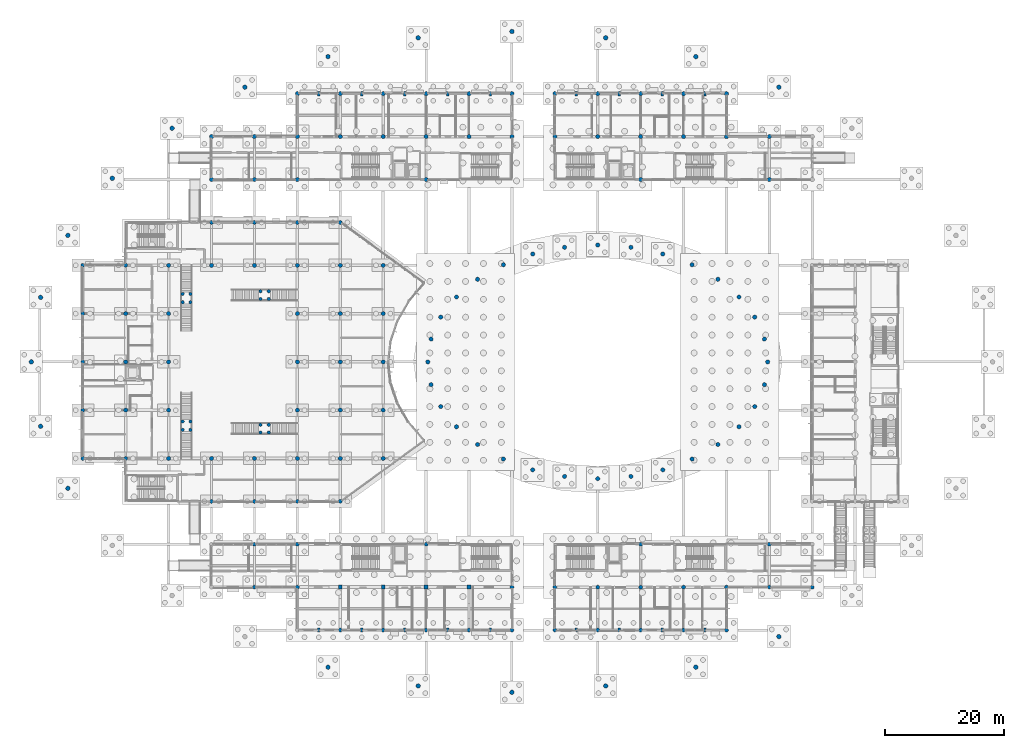
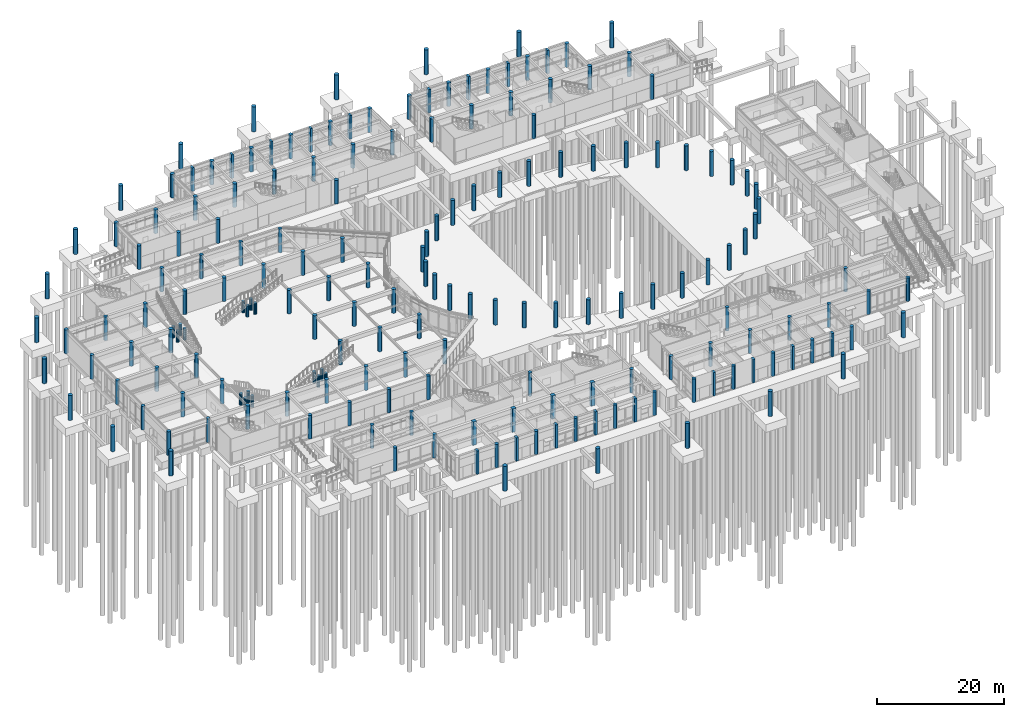
# One storey, part 9 of 103: 188 columns.
"""IFC4 building model written with IfcOpenShell, lengths in metres."""

from ifc_helpers import new_model, si_unit, direction, frame, origin, origin_2d, place, context, subcontext, project, spatial, rectangle, circle, extrude, material, material_profile, profile_set, type_object, element, save


model = new_model("IFC4")

# Units and contexts
model_context = context("Model", 3, precision=1e-05, world=origin(), true_north=direction((0.0, 1.0)))
body_context = subcontext(model_context, "Body", "Model", "MODEL_VIEW")
ifc_project = project(units=[si_unit("LENGTHUNIT", "METRE"), si_unit("AREAUNIT", "SQUARE_METRE"), si_unit("VOLUMEUNIT", "CUBIC_METRE"), si_unit("PLANEANGLEUNIT", "RADIAN"), si_unit("MASSUNIT", "GRAM", prefix="KILO")], contexts=[model_context])

# Site, building, storey
site_placement = place(None, origin())
site = spatial("IfcSite", under=ifc_project, at=site_placement, CompositionType="ELEMENT")
building_placement = place(site_placement, origin())
building = spatial("IfcBuilding", under=site, at=building_placement, Name="Namkhue Oval Health Centre", CompositionType="ELEMENT")
storey_placement = place(building_placement, origin())
storey = spatial("IfcBuildingStorey", under=building, at=storey_placement, Name="L00", CompositionType="ELEMENT", Elevation=0.0)

# Columns
ifc_material = material(Name="Reinforced concrete C35/45 (TCVN B40)", Category="concrete")
ifc_material_profile_1 = material_profile(ifc_material, rectangle(XDim=0.39990234375, YDim=0.699951171875, at=origin_2d()), Name="RC 400x700")
ifc_profile_set_1 = profile_set([ifc_material_profile_1], Name="Reinforced concrete C35/45 (TCVN B40)")
column_type_1 = type_object("IfcColumnType", Name="FACADE PILASTER 400X700", PredefinedType="PILASTER", material=ifc_profile_set_1)
for number, where, z_axis, x_axis, name in (
    (1, (54.0, 104.39990234375, 0.0), (0.0, 0.0, 1.0), (1.0, 0.0, 0.0), "Volume V2 L00 Street Pilaster 8"),
    (2, (61.199951171875, 104.39990234375, 0.0), (0.0, 0.0, 1.0), (1.0, 0.0, 0.0), "Volume V2 L00 Street Pilaster 9"),
    (3, (68.39990234375, 104.39990234375, 0.0), (0.0, 0.0, 1.0), (1.0, 0.0, 0.0), "Volume V2 L00 Street Pilaster 10"),
    (4, (75.60009765625, 104.39990234375, 0.0), (0.0, 0.0, 1.0), (1.0, 0.0, 0.0), "Volume V2 L00 Street Pilaster 11"),
    (5, (82.800048828125, 104.39990234375, 0.0), (0.0, 0.0, 1.0), (1.0, 0.0, 0.0), "Volume V2 L00 Street Pilaster 12"),
):
    element("IfcColumn", number, at=place(storey_placement, frame(where, z_axis=z_axis, x_axis=x_axis)), inside=storey, type_object=column_type_1, Name=name, PredefinedType="PILASTER", context=body_context, shape_type="SweptSolid", body=[
        extrude(rectangle(XDim=0.39990234375, YDim=0.699951171875, at=origin_2d()), origin(), (0.0, 0.0, 1.0), 4.56005859375),
    ])
for number, where, z_axis, x_axis, name in (
    (6, (97.199951171875, 104.39990234375, 0.0), (0.0, 0.0, 1.0), (1.0, 0.0, 0.0), "Volume V3 L00 Street Pilaster 14"),
    (7, (104.39990234375, 104.39990234375, 0.0), (0.0, 0.0, 1.0), (1.0, 0.0, 0.0), "Volume V3 L00 Street Pilaster 15"),
    (8, (111.60009765625, 104.39990234375, 0.0), (0.0, 0.0, 1.0), (1.0, 0.0, 0.0), "Volume V3 L00 Street Pilaster 16"),
    (9, (118.800048828125, 104.39990234375, 0.0), (0.0, 0.0, 1.0), (1.0, 0.0, 0.0), "Volume V3 L00 Street Pilaster 17"),
):
    element("IfcColumn", number, at=place(storey_placement, frame(where, z_axis=z_axis, x_axis=x_axis)), inside=storey, type_object=column_type_1, Name=name, PredefinedType="PILASTER", context=body_context, shape_type="SweptSolid", body=[
        extrude(rectangle(XDim=0.39990234375, YDim=0.699951171875, at=origin_2d()), origin(), (0.0, 0.0, 1.0), 4.534912109375),
    ])
for number, where, z_axis, x_axis, name in (
    (10, (54.0, 14.39990234375, 0.0), (0.0, 0.0, 1.0), (1.0, 0.0, 0.0), "Volume V4 L00 Street Pilaster 8"),
    (11, (61.199951171875, 14.39990234375, 0.0), (0.0, 0.0, 1.0), (1.0, 0.0, 0.0), "Volume V4 L00 Street Pilaster 9"),
    (12, (68.39990234375, 14.39990234375, 0.0), (0.0, 0.0, 1.0), (1.0, 0.0, 0.0), "Volume V4 L00 Street Pilaster 10"),
    (13, (75.60009765625, 14.39990234375, 0.0), (0.0, 0.0, 1.0), (1.0, 0.0, 0.0), "Volume V4 L00 Street Pilaster 11"),
    (14, (82.800048828125, 14.39990234375, 0.0), (0.0, 0.0, 1.0), (1.0, 0.0, 0.0), "Volume V4 L00 Street Pilaster 12"),
):
    element("IfcColumn", number, at=place(storey_placement, frame(where, z_axis=z_axis, x_axis=x_axis)), inside=storey, type_object=column_type_1, Name=name, PredefinedType="PILASTER", context=body_context, shape_type="SweptSolid", body=[
        extrude(rectangle(XDim=0.39990234375, YDim=0.699951171875, at=origin_2d()), origin(), (0.0, 0.0, 1.0), 4.510009765625),
    ])
for number, where, z_axis, x_axis, name in (
    (15, (97.199951171875, 14.39990234375, 0.0), (0.0, 0.0, 1.0), (1.0, 0.0, 0.0), "Volume V5 L00 Street Pilaster 14"),
    (16, (104.39990234375, 14.39990234375, 0.0), (0.0, 0.0, 1.0), (1.0, 0.0, 0.0), "Volume V5 L00 Street Pilaster 15"),
    (17, (111.60009765625, 14.39990234375, 0.0), (0.0, 0.0, 1.0), (1.0, 0.0, 0.0), "Volume V5 L00 Street Pilaster 16"),
    (18, (118.800048828125, 14.39990234375, 0.0), (0.0, 0.0, 1.0), (1.0, 0.0, 0.0), "Volume V5 L00 Street Pilaster 17"),
):
    element("IfcColumn", number, at=place(storey_placement, frame(where, z_axis=z_axis, x_axis=x_axis)), inside=storey, type_object=column_type_1, Name=name, PredefinedType="PILASTER", context=body_context, shape_type="SweptSolid", body=[
        extrude(rectangle(XDim=0.39990234375, YDim=0.699951171875, at=origin_2d()), origin(), (0.0, 0.0, 1.0), 4.4951171875),
    ])
ifc_material_profile_2 = material_profile(ifc_material, rectangle(XDim=0.64990234375, YDim=0.64990234375, at=origin_2d()), Name="RC 650x650")
ifc_profile_set_2 = profile_set([ifc_material_profile_2], Name="Reinforced concrete C35/45 (TCVN B40)")
column_type_2 = type_object("IfcColumnType", Name="RC COLUMN 650X650 INT", PredefinedType="COLUMN", material=ifc_profile_set_2)
for number, where, z_axis, x_axis, name in (
    (19, (57.60009765625, 21.60009765625, 0.0), (0.0, 0.0, 1.0), (1.0, 0.0, 0.0), "Volume V4 L00 Column 9/D"),
    (20, (64.800048828125, 21.60009765625, 0.0), (0.0, 0.0, 1.0), (1.0, 0.0, 0.0), "Volume V4 L00 Column 10/D"),
    (21, (72.0, 21.60009765625, 0.0), (0.0, 0.0, 1.0), (1.0, 0.0, 0.0), "Volume V4 L00 Column 11/D"),
    (22, (79.199951171875, 21.60009765625, 0.0), (0.0, 0.0, 1.0), (1.0, 0.0, 0.0), "Volume V4 L00 Column 12/D"),
):
    element("IfcColumn", number, at=place(storey_placement, frame(where, z_axis=z_axis, x_axis=x_axis)), inside=storey, type_object=column_type_2, Name=name, PredefinedType="COLUMN", context=body_context, shape_type="SweptSolid", body=[
        extrude(rectangle(XDim=0.64990234375, YDim=0.64990234375, at=origin_2d()), origin(), (0.0, 0.0, 1.0), 4.510009765625),
    ])
ifc_material_profile_3 = material_profile(ifc_material, circle(Radius=0.27490234375, at=origin_2d()), Name="RC D550")
ifc_profile_set_3 = profile_set([ifc_material_profile_3], Name="Reinforced concrete C35/45 (TCVN B40)")
column_type_3 = type_object("IfcColumnType", Name="RC COLUMN D550 INT", PredefinedType="COLUMN", material=ifc_profile_set_3)
for number, where, z_axis, x_axis, name in (
    (23, (44.205078125, 47.550048828125, 0.0), (0.0, 0.0, 1.0), (1.0, 0.0, 0.0), "Waiting Hall South Straight Feature Stair Landing Column 1"),
    (24, (44.205078125, 48.85009765625, 0.0), (0.0, 0.0, 1.0), (1.0, 0.0, 0.0), "Waiting Hall South Straight Feature Stair Landing Column 2"),
    (25, (45.60498046875, 47.550048828125, 0.0), (0.0, 0.0, 1.0), (1.0, 0.0, 0.0), "Waiting Hall South Straight Feature Stair Landing Column 3"),
    (26, (45.60498046875, 48.85009765625, 0.0), (0.0, 0.0, 1.0), (1.0, 0.0, 0.0), "Waiting Hall South Straight Feature Stair Landing Column 4"),
    (27, (44.205078125, 69.949951171875, 0.0), (0.0, 0.0, 1.0), (1.0, 0.0, 0.0), "Waiting Hall North Straight Feature Stair Landing Column 1"),
    (28, (44.205078125, 71.25, 0.0), (0.0, 0.0, 1.0), (1.0, 0.0, 0.0), "Waiting Hall North Straight Feature Stair Landing Column 2"),
    (29, (45.60498046875, 69.949951171875, 0.0), (0.0, 0.0, 1.0), (1.0, 0.0, 0.0), "Waiting Hall North Straight Feature Stair Landing Column 3"),
    (30, (45.60498046875, 71.25, 0.0), (0.0, 0.0, 1.0), (1.0, 0.0, 0.0), "Waiting Hall North Straight Feature Stair Landing Column 4"),
    (31, (32.449951171875, 69.405029296875, 0.0), (0.0, 0.0, 1.0), (1.0, 0.0, 0.0), "Waiting Hall North Gallery Feature Stair Landing Column 1"),
    (32, (31.14990234375, 69.405029296875, 0.0), (0.0, 0.0, 1.0), (1.0, 0.0, 0.0), "Waiting Hall North Gallery Feature Stair Landing Column 2"),
    (33, (32.449951171875, 70.804931640625, 0.0), (0.0, 0.0, 1.0), (1.0, 0.0, 0.0), "Waiting Hall North Gallery Feature Stair Landing Column 3"),
    (34, (31.14990234375, 70.804931640625, 0.0), (0.0, 0.0, 1.0), (1.0, 0.0, 0.0), "Waiting Hall North Gallery Feature Stair Landing Column 4"),
    (35, (31.14990234375, 49.39501953125, 0.0), (0.0, 0.0, 1.0), (1.0, 0.0, 0.0), "Waiting Hall South Gallery Feature Stair Landing Column 1"),
    (36, (32.449951171875, 49.39501953125, 0.0), (0.0, 0.0, 1.0), (1.0, 0.0, 0.0), "Waiting Hall South Gallery Feature Stair Landing Column 2"),
    (37, (31.14990234375, 47.9951171875, 0.0), (0.0, 0.0, 1.0), (1.0, 0.0, 0.0), "Waiting Hall South Gallery Feature Stair Landing Column 3"),
    (38, (32.449951171875, 47.9951171875, 0.0), (0.0, 0.0, 1.0), (1.0, 0.0, 0.0), "Waiting Hall South Gallery Feature Stair Landing Column 4"),
):
    element("IfcColumn", number, at=place(storey_placement, frame(where, z_axis=z_axis, x_axis=x_axis)), inside=storey, type_object=column_type_3, Name=name, PredefinedType="COLUMN", context=body_context, shape_type="SweptSolid", body=[
        extrude(circle(Radius=0.27490234375, at=origin_2d()), origin(), (0.0, 0.0, 1.0), 2.219970703125),
    ])
ifc_material_profile_4 = material_profile(ifc_material, circle(Radius=0.324951171875, at=origin_2d()), Name="RC D650")
ifc_profile_set_4 = profile_set([ifc_material_profile_4], Name="Reinforced concrete C35/45 (TCVN B40)")
column_type_4 = type_object("IfcColumnType", Name="RC COLUMN D650 EXT", PredefinedType="COLUMN", material=ifc_profile_set_4)
for number, where, z_axis, x_axis, name in (
    (39, (14.39990234375, 43.199951171875, 0.0), (0.0, 0.0, 1.0), (1.0, 0.0, 0.0), "Volume V1 L00 Column 3/G"),
    (40, (14.39990234375, 51.300048828125, 0.0), (0.0, 0.0, 1.0), (1.0, 0.0, 0.0), "Volume V1 L00 Column 3/H"),
    (41, (14.39990234375, 59.39990234375, 0.0), (0.0, 0.0, 1.0), (1.0, 0.0, 0.0), "Volume V1 L00 Column 3/J"),
    (42, (14.39990234375, 67.5, 0.0), (0.0, 0.0, 1.0), (1.0, 0.0, 0.0), "Volume V1 L00 Column 3/K"),
    (43, (14.39990234375, 75.60009765625, 0.0), (0.0, 0.0, 1.0), (1.0, 0.0, 0.0), "Volume V1 L00 Column 3/L"),
):
    element("IfcColumn", number, at=place(storey_placement, frame(where, z_axis=z_axis, x_axis=x_axis)), inside=storey, type_object=column_type_4, Name=name, PredefinedType="COLUMN", context=body_context, shape_type="SweptSolid", body=[
        extrude(circle(Radius=0.324951171875, at=origin_2d()), origin(), (0.0, 0.0, 1.0), 4.590087890625),
    ])
for number, where, z_axis, x_axis, name in (
    (44, (21.60009765625, 43.199951171875, 0.0), (0.0, 0.0, 1.0), (1.0, 0.0, 0.0), "Volume V1 L00 Column 4/G"),
    (45, (21.60009765625, 75.60009765625, 0.0), (0.0, 0.0, 1.0), (1.0, 0.0, 0.0), "Volume V1 L00 Column 4/L"),
    (46, (36.0, 36.0, 0.0), (0.0, 0.0, 1.0), (1.0, 0.0, 0.0), "Volume V1 L00 Column 6/F"),
    (47, (36.0, 82.800048828125, 0.0), (0.0, 0.0, 1.0), (1.0, 0.0, 0.0), "Volume V1 L00 Column 6/M"),
    (48, (43.199951171875, 36.0, 0.0), (0.0, 0.0, 1.0), (1.0, 0.0, 0.0), "Volume V1 L00 Column 7/F"),
    (49, (43.199951171875, 82.800048828125, 0.0), (0.0, 0.0, 1.0), (1.0, 0.0, 0.0), "Volume V1 L00 Column 7/M"),
    (50, (50.39990234375, 36.0, 0.0), (0.0, 0.0, 1.0), (1.0, 0.0, 0.0), "Volume V1 L00 Column 8/F"),
    (51, (50.39990234375, 82.800048828125, 0.0), (0.0, 0.0, 1.0), (1.0, 0.0, 0.0), "Volume V1 L00 Column 8/M"),
    (52, (57.60009765625, 36.0, 0.0), (0.0, 0.0, 1.0), (1.0, 0.0, 0.0), "Volume V1 L00 Column 9/F"),
    (53, (57.60009765625, 82.800048828125, 0.0), (0.0, 0.0, 1.0), (1.0, 0.0, 0.0), "Volume V1 L00 Column 9/M"),
):
    element("IfcColumn", number, at=place(storey_placement, frame(where, z_axis=z_axis, x_axis=x_axis)), inside=storey, type_object=column_type_4, Name=name, PredefinedType="COLUMN", context=body_context, shape_type="SweptSolid", body=[
        extrude(circle(Radius=0.324951171875, at=origin_2d()), origin(), (0.0, 0.0, 1.0), 4.56494140625),
    ])
for number, where, z_axis, x_axis, name in (
    (54, (43.199951171875, 21.60009765625, 0.0), (0.0, 0.0, 1.0), (1.0, 0.0, 0.0), "Volume V4 L00 Column 7/D"),
    (55, (43.199951171875, 28.800048828125, 0.0), (0.0, 0.0, 1.0), (1.0, 0.0, 0.0), "Volume V4 L00 Column 7/E"),
    (56, (50.39990234375, 21.60009765625, 0.0), (0.0, 0.0, 1.0), (1.0, 0.0, 0.0), "Volume V4 L00 Column 8/D"),
    (57, (50.39990234375, 28.800048828125, 0.0), (0.0, 0.0, 1.0), (1.0, 0.0, 0.0), "Volume V4 L00 Column 8/E"),
    (58, (57.60009765625, 14.39990234375, 0.0), (0.0, 0.0, 1.0), (1.0, 0.0, 0.0), "Volume V4 L00 Column 9/C"),
    (59, (64.800048828125, 14.39990234375, 0.0), (0.0, 0.0, 1.0), (1.0, 0.0, 0.0), "Volume V4 L00 Column 10/C"),
    (60, (72.0, 14.39990234375, 0.0), (0.0, 0.0, 1.0), (1.0, 0.0, 0.0), "Volume V4 L00 Column 11/C"),
    (61, (72.0, 28.800048828125, 0.0), (0.0, 0.0, 1.0), (1.0, 0.0, 0.0), "Volume V4 L00 Column 11/E"),
    (62, (79.199951171875, 14.39990234375, 0.0), (0.0, 0.0, 1.0), (1.0, 0.0, 0.0), "Volume V4 L00 Column 12/C"),
    (63, (86.39990234375, 14.39990234375, 0.0), (0.0, 0.0, 1.0), (1.0, 0.0, 0.0), "Volume V4 L00 Column 13/C"),
    (64, (86.39990234375, 21.60009765625, 0.0), (0.0, 0.0, 1.0), (1.0, 0.0, 0.0), "Volume V4 L00 Column 13/D"),
):
    element("IfcColumn", number, at=place(storey_placement, frame(where, z_axis=z_axis, x_axis=x_axis)), inside=storey, type_object=column_type_4, Name=name, PredefinedType="COLUMN", context=body_context, shape_type="SweptSolid", body=[
        extrude(circle(Radius=0.324951171875, at=origin_2d()), origin(), (0.0, 0.0, 1.0), 4.510009765625),
    ])
for number, where, z_axis, x_axis, name in (
    (65, (93.60009765625, 14.39990234375, 0.0), (0.0, 0.0, 1.0), (1.0, 0.0, 0.0), "Volume V5 L00 Column 14/C"),
    (66, (93.60009765625, 21.60009765625, 0.0), (0.0, 0.0, 1.0), (1.0, 0.0, 0.0), "Volume V5 L00 Column 14/D"),
    (67, (100.800048828125, 14.39990234375, 0.0), (0.0, 0.0, 1.0), (1.0, 0.0, 0.0), "Volume V5 L00 Column 15/C"),
    (68, (108.0, 14.39990234375, 0.0), (0.0, 0.0, 1.0), (1.0, 0.0, 0.0), "Volume V5 L00 Column 16/C"),
    (69, (108.0, 28.800048828125, 0.0), (0.0, 0.0, 1.0), (1.0, 0.0, 0.0), "Volume V5 L00 Column 16/E"),
    (70, (115.199951171875, 14.39990234375, 0.0), (0.0, 0.0, 1.0), (1.0, 0.0, 0.0), "Volume V5 L00 Column 17/C"),
    (71, (122.39990234375, 14.39990234375, 0.0), (0.0, 0.0, 1.0), (1.0, 0.0, 0.0), "Volume V5 L00 Column 18/C"),
    (72, (122.39990234375, 21.60009765625, 0.0), (0.0, 0.0, 1.0), (1.0, 0.0, 0.0), "Volume V5 L00 Column 18/D"),
    (73, (129.60009765625, 21.60009765625, 0.0), (0.0, 0.0, 1.0), (1.0, 0.0, 0.0), "Volume V5 L00 Column 19/D"),
    (74, (129.60009765625, 28.800048828125, 0.0), (0.0, 0.0, 1.0), (1.0, 0.0, 0.0), "Volume V5 L00 Column 19/E"),
    (75, (136.800048828125, 21.60009765625, 0.0), (0.0, 0.0, 1.0), (1.0, 0.0, 0.0), "Volume V5 L00 Column 20/D"),
):
    element("IfcColumn", number, at=place(storey_placement, frame(where, z_axis=z_axis, x_axis=x_axis)), inside=storey, type_object=column_type_4, Name=name, PredefinedType="COLUMN", context=body_context, shape_type="SweptSolid", body=[
        extrude(circle(Radius=0.324951171875, at=origin_2d()), origin(), (0.0, 0.0, 1.0), 4.4951171875),
    ])
ifc_material_profile_5 = material_profile(ifc_material, circle(Radius=0.324951171875, at=origin_2d()), Name="RC D650")
ifc_profile_set_5 = profile_set([ifc_material_profile_5], Name="Reinforced concrete C35/45 (TCVN B40)")
column_type_5 = type_object("IfcColumnType", Name="RC COLUMN D650 INT", PredefinedType="COLUMN", material=ifc_profile_set_5)
for number, where, z_axis, x_axis, name in (
    (76, (100.800048828125, 21.60009765625, 0.0), (0.0, 0.0, 1.0), (1.0, 0.0, 0.0), "Volume V5 L00 Column 15/D"),
    (77, (108.0, 21.60009765625, 0.0), (0.0, 0.0, 1.0), (1.0, 0.0, 0.0), "Volume V5 L00 Column 16/D"),
    (78, (115.199951171875, 21.60009765625, 0.0), (0.0, 0.0, 1.0), (1.0, 0.0, 0.0), "Volume V5 L00 Column 17/D"),
):
    element("IfcColumn", number, at=place(storey_placement, frame(where, z_axis=z_axis, x_axis=x_axis)), inside=storey, type_object=column_type_5, Name=name, PredefinedType="COLUMN", context=body_context, shape_type="SweptSolid", body=[
        extrude(circle(Radius=0.324951171875, at=origin_2d()), origin(), (0.0, 0.0, 1.0), 4.4951171875),
    ])
ifc_material_profile_6 = material_profile(ifc_material, circle(Radius=0.35009765625, at=origin_2d()), Name="RC D700")
ifc_profile_set_6 = profile_set([ifc_material_profile_6], Name="Reinforced concrete C35/45 (TCVN B40)")
column_type_6 = type_object("IfcColumnType", Name="RC COLUMN D700 EXT", PredefinedType="COLUMN", material=ifc_profile_set_6)
for number, where, z_axis, x_axis, name in (
    (79, (36.0, 90.0, 0.0), (0.0, 0.0, 1.0), (1.0, 0.0, 0.0), "Volume V2 L00 Column 6/N"),
    (80, (36.0, 97.199951171875, 0.0), (0.0, 0.0, 1.0), (1.0, 0.0, 0.0), "Volume V2 L00 Column 6/O"),
    (81, (43.199951171875, 90.0, 0.0), (0.0, 0.0, 1.0), (1.0, 0.0, 0.0), "Volume V2 L00 Column 7/N"),
    (82, (43.199951171875, 97.199951171875, 0.0), (0.0, 0.0, 1.0), (1.0, 0.0, 0.0), "Volume V2 L00 Column 7/O"),
    (83, (50.39990234375, 90.0, 0.0), (0.0, 0.0, 1.0), (1.0, 0.0, 0.0), "Volume V2 L00 Column 8/N"),
    (84, (50.39990234375, 97.199951171875, 0.0), (0.0, 0.0, 1.0), (1.0, 0.0, 0.0), "Volume V2 L00 Column 8/O"),
    (85, (50.39990234375, 104.39990234375, 0.0), (0.0, 0.0, 1.0), (1.0, 0.0, 0.0), "Volume V2 L00 Column 8/P"),
    (86, (57.60009765625, 104.39990234375, 0.0), (0.0, 0.0, 1.0), (1.0, 0.0, 0.0), "Volume V2 L00 Column 9/P"),
    (87, (64.800048828125, 104.39990234375, 0.0), (0.0, 0.0, 1.0), (1.0, 0.0, 0.0), "Volume V2 L00 Column 10/P"),
    (88, (72.0, 90.0, 0.0), (0.0, 0.0, 1.0), (1.0, 0.0, 0.0), "Volume V2 L00 Column 11/N"),
    (89, (72.0, 104.39990234375, 0.0), (0.0, 0.0, 1.0), (1.0, 0.0, 0.0), "Volume V2 L00 Column 11/P"),
    (90, (79.199951171875, 104.39990234375, 0.0), (0.0, 0.0, 1.0), (1.0, 0.0, 0.0), "Volume V2 L00 Column 12/P"),
    (91, (86.39990234375, 97.199951171875, 0.0), (0.0, 0.0, 1.0), (1.0, 0.0, 0.0), "Volume V2 L00 Column 13/O"),
    (92, (86.39990234375, 104.39990234375, 0.0), (0.0, 0.0, 1.0), (1.0, 0.0, 0.0), "Volume V2 L00 Column 13/P"),
):
    element("IfcColumn", number, at=place(storey_placement, frame(where, z_axis=z_axis, x_axis=x_axis)), inside=storey, type_object=column_type_6, Name=name, PredefinedType="COLUMN", context=body_context, shape_type="SweptSolid", body=[
        extrude(circle(Radius=0.35009765625, at=origin_2d()), origin(), (0.0, 0.0, 1.0), 4.56005859375),
    ])
for number, where, z_axis, x_axis, name in (
    (93, (93.60009765625, 97.199951171875, 0.0), (0.0, 0.0, 1.0), (1.0, 0.0, 0.0), "Volume V3 L00 Column 14/O"),
    (94, (93.60009765625, 104.39990234375, 0.0), (0.0, 0.0, 1.0), (1.0, 0.0, 0.0), "Volume V3 L00 Column 14/P"),
    (95, (100.800048828125, 104.39990234375, 0.0), (0.0, 0.0, 1.0), (1.0, 0.0, 0.0), "Volume V3 L00 Column 15/P"),
    (96, (108.0, 90.0, 0.0), (0.0, 0.0, 1.0), (1.0, 0.0, 0.0), "Volume V3 L00 Column 16/N"),
    (97, (108.0, 104.39990234375, 0.0), (0.0, 0.0, 1.0), (1.0, 0.0, 0.0), "Volume V3 L00 Column 16/P"),
    (98, (115.199951171875, 104.39990234375, 0.0), (0.0, 0.0, 1.0), (1.0, 0.0, 0.0), "Volume V3 L00 Column 17/P"),
    (99, (122.39990234375, 97.199951171875, 0.0), (0.0, 0.0, 1.0), (1.0, 0.0, 0.0), "Volume V3 L00 Column 18/O"),
    (100, (122.39990234375, 104.39990234375, 0.0), (0.0, 0.0, 1.0), (1.0, 0.0, 0.0), "Volume V3 L00 Column 18/P"),
    (101, (129.60009765625, 90.0, 0.0), (0.0, 0.0, 1.0), (1.0, 0.0, 0.0), "Volume V3 L00 Column 19/N"),
    (102, (129.60009765625, 97.199951171875, 0.0), (0.0, 0.0, 1.0), (1.0, 0.0, 0.0), "Volume V3 L00 Column 19/O"),
):
    element("IfcColumn", number, at=place(storey_placement, frame(where, z_axis=z_axis, x_axis=x_axis)), inside=storey, type_object=column_type_6, Name=name, PredefinedType="COLUMN", context=body_context, shape_type="SweptSolid", body=[
        extrude(circle(Radius=0.35009765625, at=origin_2d()), origin(), (0.0, 0.0, 1.0), 4.534912109375),
    ])
for number, where, z_axis, x_axis, name in (
    (103, (129.31201171875, 59.39990234375, 0.0), (0.0, 0.0, 1.0), (1.0, 0.0, 0.0), "Gridshell IR Colonnade Column 1 L00"),
    (104, (128.76416015625, 63.22412109375, 0.0), (0.0, 0.0, 1.0), (1.0, 0.0, 0.0), "Gridshell IR Colonnade Column 2 L00"),
    (105, (127.1416015625, 66.9013671875, 0.0), (0.0, 0.0, 1.0), (1.0, 0.0, 0.0), "Gridshell IR Colonnade Column 3 L00"),
    (106, (124.5068359375, 70.290283203125, 0.0), (0.0, 0.0, 1.0), (1.0, 0.0, 0.0), "Gridshell IR Colonnade Column 4 L00"),
    (107, (120.9609375, 73.2607421875, 0.0), (0.0, 0.0, 1.0), (1.0, 0.0, 0.0), "Gridshell IR Colonnade Column 5 L00"),
    (108, (116.640380859375, 75.698486328125, 0.0), (0.0, 0.0, 1.0), (1.0, 0.0, 0.0), "Gridshell IR Colonnade Column 6 L00"),
    (109, (111.711181640625, 77.509765625, 0.0), (0.0, 0.0, 1.0), (1.0, 0.0, 0.0), "Gridshell IR Colonnade Column 7 L00"),
    (110, (106.3623046875, 78.625244140625, 0.0), (0.0, 0.0, 1.0), (1.0, 0.0, 0.0), "Gridshell IR Colonnade Column 8 L00"),
    (111, (100.800048828125, 79.001953125, 0.0), (0.0, 0.0, 1.0), (1.0, 0.0, 0.0), "Gridshell IR Colonnade Column 9 L00"),
    (112, (95.237548828125, 78.625244140625, 0.0), (0.0, 0.0, 1.0), (1.0, 0.0, 0.0), "Gridshell IR Colonnade Column 10 L00"),
    (113, (89.888916015625, 77.509765625, 0.0), (0.0, 0.0, 1.0), (1.0, 0.0, 0.0), "Gridshell IR Colonnade Column 11 L00"),
    (114, (84.95947265625, 75.698486328125, 0.0), (0.0, 0.0, 1.0), (1.0, 0.0, 0.0), "Gridshell IR Colonnade Column 12 L00"),
    (115, (80.638916015625, 73.2607421875, 0.0), (0.0, 0.0, 1.0), (1.0, 0.0, 0.0), "Gridshell IR Colonnade Column 13 L00"),
    (116, (77.093017578125, 70.290283203125, 0.0), (0.0, 0.0, 1.0), (1.0, 0.0, 0.0), "Gridshell IR Colonnade Column 14 L00"),
    (117, (74.458251953125, 66.9013671875, 0.0), (0.0, 0.0, 1.0), (1.0, 0.0, 0.0), "Gridshell IR Colonnade Column 15 L00"),
    (118, (72.8359375, 63.22412109375, 0.0), (0.0, 0.0, 1.0), (1.0, 0.0, 0.0), "Gridshell IR Colonnade Column 16 L00"),
    (119, (72.2880859375, 59.39990234375, 0.0), (0.0, 0.0, 1.0), (1.0, 0.0, 0.0), "Gridshell IR Colonnade Column 17 L00"),
    (120, (72.8359375, 55.575927734375, 0.0), (0.0, 0.0, 1.0), (1.0, 0.0, 0.0), "Gridshell IR Colonnade Column 18 L00"),
    (121, (74.458251953125, 51.898681640625, 0.0), (0.0, 0.0, 1.0), (1.0, 0.0, 0.0), "Gridshell IR Colonnade Column 19 L00"),
    (122, (77.093017578125, 48.509765625, 0.0), (0.0, 0.0, 1.0), (1.0, 0.0, 0.0), "Gridshell IR Colonnade Column 20 L00"),
    (123, (80.638916015625, 45.539306640625, 0.0), (0.0, 0.0, 1.0), (1.0, 0.0, 0.0), "Gridshell IR Colonnade Column 21 L00"),
    (124, (84.95947265625, 43.1015625, 0.0), (0.0, 0.0, 1.0), (1.0, 0.0, 0.0), "Gridshell IR Colonnade Column 22 L00"),
    (125, (89.888916015625, 41.2900390625, 0.0), (0.0, 0.0, 1.0), (1.0, 0.0, 0.0), "Gridshell IR Colonnade Column 23 L00"),
    (126, (95.237548828125, 40.174560546875, 0.0), (0.0, 0.0, 1.0), (1.0, 0.0, 0.0), "Gridshell IR Colonnade Column 24 L00"),
    (127, (100.800048828125, 39.798095703125, 0.0), (0.0, 0.0, 1.0), (1.0, 0.0, 0.0), "Gridshell IR Colonnade Column 25 L00"),
    (128, (106.3623046875, 40.174560546875, 0.0), (0.0, 0.0, 1.0), (1.0, 0.0, 0.0), "Gridshell IR Colonnade Column 26 L00"),
    (129, (111.711181640625, 41.2900390625, 0.0), (0.0, 0.0, 1.0), (1.0, 0.0, 0.0), "Gridshell IR Colonnade Column 27 L00"),
    (130, (116.640380859375, 43.1015625, 0.0), (0.0, 0.0, 1.0), (1.0, 0.0, 0.0), "Gridshell IR Colonnade Column 28 L00"),
    (131, (120.9609375, 45.539306640625, 0.0), (0.0, 0.0, 1.0), (1.0, 0.0, 0.0), "Gridshell IR Colonnade Column 29 L00"),
    (132, (124.5068359375, 48.509765625, 0.0), (0.0, 0.0, 1.0), (1.0, 0.0, 0.0), "Gridshell IR Colonnade Column 30 L00"),
    (133, (127.1416015625, 51.898681640625, 0.0), (0.0, 0.0, 1.0), (1.0, 0.0, 0.0), "Gridshell IR Colonnade Column 31 L00"),
    (134, (128.76416015625, 55.575927734375, 0.0), (0.0, 0.0, 1.0), (1.0, 0.0, 0.0), "Gridshell IR Colonnade Column 32 L00"),
):
    element("IfcColumn", number, at=place(storey_placement, frame(where, z_axis=z_axis, x_axis=x_axis)), inside=storey, type_object=column_type_6, Name=name, PredefinedType="COLUMN", context=body_context, shape_type="SweptSolid", body=[
        extrude(circle(Radius=0.35009765625, at=origin_2d()), origin(), (0.0, 0.0, 1.0), 4.800048828125),
    ])
ifc_material_profile_7 = material_profile(ifc_material, circle(Radius=0.35009765625, at=origin_2d()), Name="RC D700")
ifc_profile_set_7 = profile_set([ifc_material_profile_7], Name="Reinforced concrete C35/45 (TCVN B40)")
column_type_7 = type_object("IfcColumnType", Name="RC COLUMN D700 INT", PredefinedType="COLUMN", material=ifc_profile_set_7)
for number, where, z_axis, x_axis, name in (
    (135, (21.60009765625, 51.300048828125, 0.0), (0.0, 0.0, 1.0), (1.0, 0.0, 0.0), "Volume V1 L00 Column 4/H"),
    (136, (21.60009765625, 59.39990234375, 0.0), (0.0, 0.0, 1.0), (1.0, 0.0, 0.0), "Volume V1 L00 Column 4/J"),
    (137, (21.60009765625, 67.5, 0.0), (0.0, 0.0, 1.0), (1.0, 0.0, 0.0), "Volume V1 L00 Column 4/K"),
    (138, (28.800048828125, 43.199951171875, 0.0), (0.0, 0.0, 1.0), (1.0, 0.0, 0.0), "Volume V1 L00 Column 5/G"),
    (139, (28.800048828125, 51.300048828125, 0.0), (0.0, 0.0, 1.0), (1.0, 0.0, 0.0), "Volume V1 L00 Column 5/H"),
    (140, (28.800048828125, 59.39990234375, 0.0), (0.0, 0.0, 1.0), (1.0, 0.0, 0.0), "Volume V1 L00 Column 5/J"),
    (141, (28.800048828125, 67.5, 0.0), (0.0, 0.0, 1.0), (1.0, 0.0, 0.0), "Volume V1 L00 Column 5/K"),
    (142, (28.800048828125, 75.60009765625, 0.0), (0.0, 0.0, 1.0), (1.0, 0.0, 0.0), "Volume V1 L00 Column 5/L"),
    (143, (36.0, 43.199951171875, 0.0), (0.0, 0.0, 1.0), (1.0, 0.0, 0.0), "Volume V1 L00 Column 6/G"),
    (144, (36.0, 75.60009765625, 0.0), (0.0, 0.0, 1.0), (1.0, 0.0, 0.0), "Volume V1 L00 Column 6/L"),
    (145, (43.199951171875, 43.199951171875, 0.0), (0.0, 0.0, 1.0), (1.0, 0.0, 0.0), "Volume V1 L00 Column 7/G"),
    (146, (43.199951171875, 75.60009765625, 0.0), (0.0, 0.0, 1.0), (1.0, 0.0, 0.0), "Volume V1 L00 Column 7/L"),
    (147, (50.39990234375, 43.199951171875, 0.0), (0.0, 0.0, 1.0), (1.0, 0.0, 0.0), "Volume V1 L00 Column 8/G"),
    (148, (50.39990234375, 51.300048828125, 0.0), (0.0, 0.0, 1.0), (1.0, 0.0, 0.0), "Volume V1 L00 Column 8/H"),
    (149, (50.39990234375, 59.39990234375, 0.0), (0.0, 0.0, 1.0), (1.0, 0.0, 0.0), "Volume V1 L00 Column 8/J"),
    (150, (50.39990234375, 67.5, 0.0), (0.0, 0.0, 1.0), (1.0, 0.0, 0.0), "Volume V1 L00 Column 8/K"),
    (151, (50.39990234375, 75.60009765625, 0.0), (0.0, 0.0, 1.0), (1.0, 0.0, 0.0), "Volume V1 L00 Column 8/L"),
    (152, (57.60009765625, 43.199951171875, 0.0), (0.0, 0.0, 1.0), (1.0, 0.0, 0.0), "Volume V1 L00 Column 9/G"),
    (153, (57.60009765625, 51.300048828125, 0.0), (0.0, 0.0, 1.0), (1.0, 0.0, 0.0), "Volume V1 L00 Column 9/H"),
    (154, (57.60009765625, 59.39990234375, 0.0), (0.0, 0.0, 1.0), (1.0, 0.0, 0.0), "Volume V1 L00 Column 9/J"),
    (155, (57.60009765625, 67.5, 0.0), (0.0, 0.0, 1.0), (1.0, 0.0, 0.0), "Volume V1 L00 Column 9/K"),
    (156, (57.60009765625, 75.60009765625, 0.0), (0.0, 0.0, 1.0), (1.0, 0.0, 0.0), "Volume V1 L00 Column 9/L"),
    (157, (64.800048828125, 43.199951171875, 0.0), (0.0, 0.0, 1.0), (1.0, 0.0, 0.0), "Volume V1 L00 Column 10/G"),
    (158, (64.800048828125, 51.300048828125, 0.0), (0.0, 0.0, 1.0), (1.0, 0.0, 0.0), "Volume V1 L00 Column 10/H"),
    (159, (64.800048828125, 59.39990234375, 0.0), (0.0, 0.0, 1.0), (1.0, 0.0, 0.0), "Volume V1 L00 Column 10/J"),
    (160, (64.800048828125, 67.5, 0.0), (0.0, 0.0, 1.0), (1.0, 0.0, 0.0), "Volume V1 L00 Column 10/K"),
    (161, (64.800048828125, 75.60009765625, 0.0), (0.0, 0.0, 1.0), (1.0, 0.0, 0.0), "Volume V1 L00 Column 10/L"),
):
    element("IfcColumn", number, at=place(storey_placement, frame(where, z_axis=z_axis, x_axis=x_axis)), inside=storey, type_object=column_type_7, Name=name, PredefinedType="COLUMN", context=body_context, shape_type="SweptSolid", body=[
        extrude(circle(Radius=0.35009765625, at=origin_2d()), origin(), (0.0, 0.0, 1.0), 4.56494140625),
    ])
for number, where, z_axis, x_axis, name in (
    (162, (57.60009765625, 97.199951171875, 0.0), (0.0, 0.0, 1.0), (1.0, 0.0, 0.0), "Volume V2 L00 Column 9/O"),
    (163, (64.800048828125, 97.199951171875, 0.0), (0.0, 0.0, 1.0), (1.0, 0.0, 0.0), "Volume V2 L00 Column 10/O"),
    (164, (72.0, 97.199951171875, 0.0), (0.0, 0.0, 1.0), (1.0, 0.0, 0.0), "Volume V2 L00 Column 11/O"),
    (165, (79.199951171875, 97.199951171875, 0.0), (0.0, 0.0, 1.0), (1.0, 0.0, 0.0), "Volume V2 L00 Column 12/O"),
):
    element("IfcColumn", number, at=place(storey_placement, frame(where, z_axis=z_axis, x_axis=x_axis)), inside=storey, type_object=column_type_7, Name=name, PredefinedType="COLUMN", context=body_context, shape_type="SweptSolid", body=[
        extrude(circle(Radius=0.35009765625, at=origin_2d()), origin(), (0.0, 0.0, 1.0), 4.56005859375),
    ])
for number, where, z_axis, x_axis, name in (
    (166, (100.800048828125, 97.199951171875, 0.0), (0.0, 0.0, 1.0), (1.0, 0.0, 0.0), "Volume V3 L00 Column 15/O"),
    (167, (108.0, 97.199951171875, 0.0), (0.0, 0.0, 1.0), (1.0, 0.0, 0.0), "Volume V3 L00 Column 16/O"),
    (168, (115.199951171875, 97.199951171875, 0.0), (0.0, 0.0, 1.0), (1.0, 0.0, 0.0), "Volume V3 L00 Column 17/O"),
):
    element("IfcColumn", number, at=place(storey_placement, frame(where, z_axis=z_axis, x_axis=x_axis)), inside=storey, type_object=column_type_7, Name=name, PredefinedType="COLUMN", context=body_context, shape_type="SweptSolid", body=[
        extrude(circle(Radius=0.35009765625, at=origin_2d()), origin(), (0.0, 0.0, 1.0), 4.534912109375),
    ])
ifc_material_profile_8 = material_profile(ifc_material, circle(Radius=0.375, at=origin_2d()), Name="RC D750")
ifc_profile_set_8 = profile_set([ifc_material_profile_8], Name="Reinforced concrete C35/45 (TCVN B40)")
column_type_8 = type_object("IfcColumnType", Name="RC COLUMN D750 EXT", PredefinedType="COLUMN", material=ifc_profile_set_8)
for number, where, z_axis, x_axis, name in (
    (169, (131.201171875, 105.49658203125, 0.0), (0.0, 0.0, 1.0), (1.0, 0.0, 0.0), "Gridshell OR Colonnade Column 6 L00"),
    (170, (117.259521484375, 110.619873046875, 0.0), (0.0, 0.0, 1.0), (1.0, 0.0, 0.0), "Gridshell OR Colonnade Column 7 L00"),
    (171, (102.132080078125, 113.774658203125, 0.0), (0.0, 0.0, 1.0), (1.0, 0.0, 0.0), "Gridshell OR Colonnade Column 8 L00"),
    (172, (86.39990234375, 114.840087890625, 0.0), (0.0, 0.0, 1.0), (1.0, 0.0, 0.0), "Gridshell OR Colonnade Column 9 L00"),
    (173, (70.66796875, 113.774658203125, 0.0), (0.0, 0.0, 1.0), (1.0, 0.0, 0.0), "Gridshell OR Colonnade Column 10 L00"),
    (174, (55.54052734375, 110.619873046875, 0.0), (0.0, 0.0, 1.0), (1.0, 0.0, 0.0), "Gridshell OR Colonnade Column 11 L00"),
    (175, (41.598876953125, 105.49658203125, 0.0), (0.0, 0.0, 1.0), (1.0, 0.0, 0.0), "Gridshell OR Colonnade Column 12 L00"),
    (176, (29.37890625, 98.60205078125, 0.0), (0.0, 0.0, 1.0), (1.0, 0.0, 0.0), "Gridshell OR Colonnade Column 13 L00"),
    (177, (19.350341796875, 90.200927734375, 0.0), (0.0, 0.0, 1.0), (1.0, 0.0, 0.0), "Gridshell OR Colonnade Column 14 L00"),
    (178, (11.8984375, 80.615966796875, 0.0), (0.0, 0.0, 1.0), (1.0, 0.0, 0.0), "Gridshell OR Colonnade Column 15 L00"),
    (179, (7.3095703125, 70.2158203125, 0.0), (0.0, 0.0, 1.0), (1.0, 0.0, 0.0), "Gridshell OR Colonnade Column 16 L00"),
    (180, (5.760009765625, 59.39990234375, 0.0), (0.0, 0.0, 1.0), (1.0, 0.0, 0.0), "Gridshell OR Colonnade Column 17 L00"),
    (181, (7.3095703125, 48.584228515625, 0.0), (0.0, 0.0, 1.0), (1.0, 0.0, 0.0), "Gridshell OR Colonnade Column 18 L00"),
    (182, (11.8984375, 38.18408203125, 0.0), (0.0, 0.0, 1.0), (1.0, 0.0, 0.0), "Gridshell OR Colonnade Column 19 L00"),
    (183, (55.54052734375, 8.18017578125, 0.0), (0.0, 0.0, 1.0), (1.0, 0.0, 0.0), "Gridshell OR Colonnade Column 23 L00"),
    (184, (70.66796875, 5.025146484375, 0.0), (0.0, 0.0, 1.0), (1.0, 0.0, 0.0), "Gridshell OR Colonnade Column 24 L00"),
    (185, (86.39990234375, 3.9599609375, 0.0), (0.0, 0.0, 1.0), (1.0, 0.0, 0.0), "Gridshell OR Colonnade Column 25 L00"),
    (186, (102.132080078125, 5.025146484375, 0.0), (0.0, 0.0, 1.0), (1.0, 0.0, 0.0), "Gridshell OR Colonnade Column 26 L00"),
    (187, (117.259521484375, 8.18017578125, 0.0), (0.0, 0.0, 1.0), (1.0, 0.0, 0.0), "Gridshell OR Colonnade Column 27 L00"),
    (188, (131.201171875, 13.30322265625, 0.0), (0.0, 0.0, 1.0), (1.0, 0.0, 0.0), "Gridshell OR Colonnade Column 28 L00"),
):
    element("IfcColumn", number, at=place(storey_placement, frame(where, z_axis=z_axis, x_axis=x_axis)), inside=storey, type_object=column_type_8, Name=name, PredefinedType="COLUMN", context=body_context, shape_type="SweptSolid", body=[
        extrude(circle(Radius=0.375, at=origin_2d()), origin(), (0.0, 0.0, 1.0), 4.800048828125),
    ])

save(model, "model.ifc")
